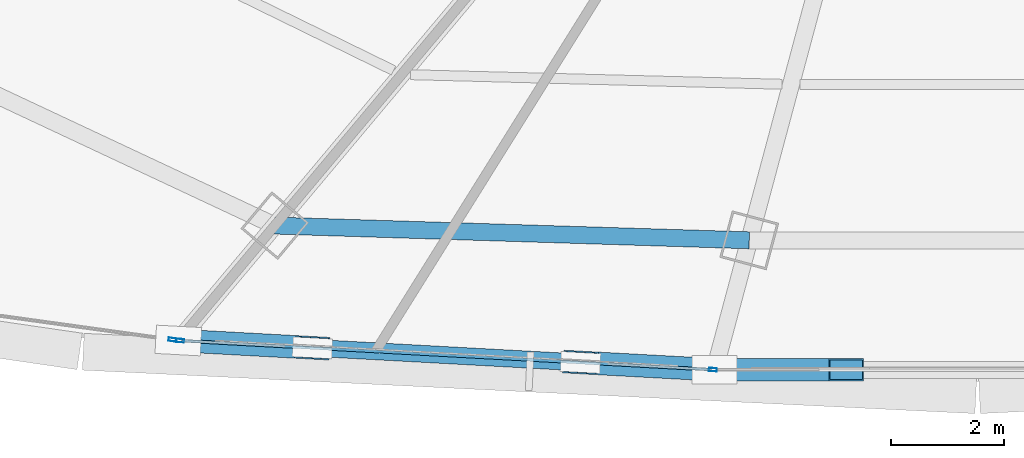
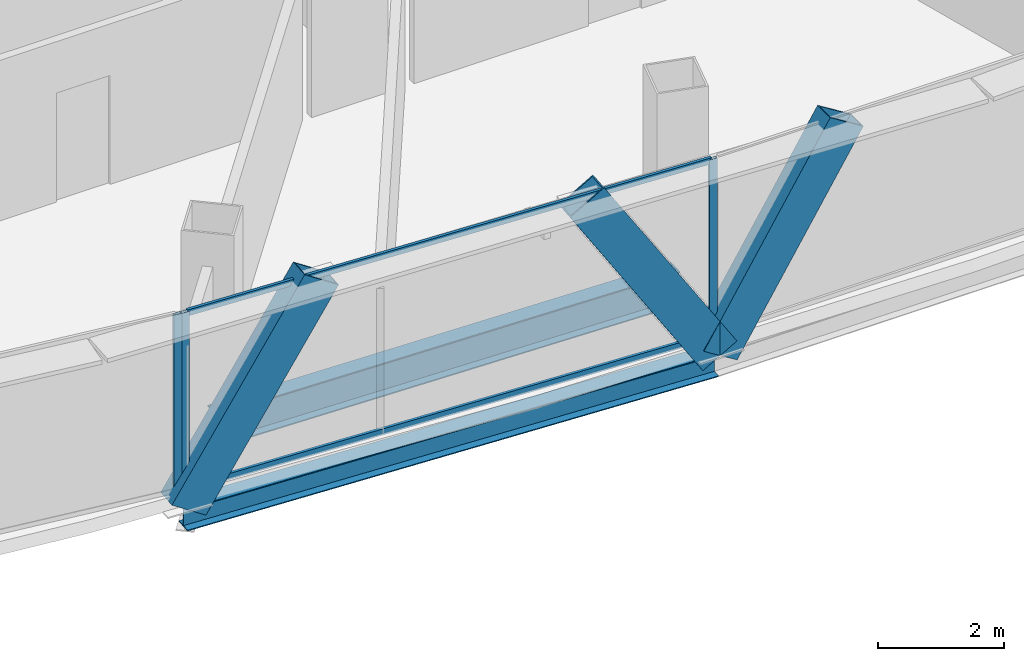
# One storey, part 6 of 37: 8 members, 2 beams, 2 elements without a shape of their own.
"""IFC4 building model written with IfcOpenShell, lengths in metres."""

from ifc_helpers import new_model, si_unit, direction, frame, origin, origin_2d, place, context, subcontext, project, spatial, hollow_rectangle, i_section, extrude, source, transform, mapped, material, layer, layer_set, material_profile, profile_set, type_object, element, aggregate, save


model = new_model("IFC4")

# Units and contexts
model_context = context("Model", 3, precision=1e-05, world=origin(), true_north=direction((0.0, 1.0)))
body_context = subcontext(model_context, "Body", "Model", "MODEL_VIEW")
ifc_project = project(units=[si_unit("LENGTHUNIT", "METRE"), si_unit("AREAUNIT", "SQUARE_METRE"), si_unit("VOLUMEUNIT", "CUBIC_METRE"), si_unit("PLANEANGLEUNIT", "RADIAN"), si_unit("MASSUNIT", "GRAM", prefix="KILO"), si_unit("THERMODYNAMICTEMPERATUREUNIT", "KELVIN"), si_unit("POWERUNIT", "WATT")], contexts=[model_context])

# Site, building, storey
site_placement = place(None, origin())
site = spatial("IfcSite", under=ifc_project, at=site_placement, CompositionType="ELEMENT")
building_placement = place(site_placement, origin())
building = spatial("IfcBuilding", under=site, at=building_placement, Name="Yunzhuo Pagoda Commons", CompositionType="ELEMENT")
storey_placement = place(building_placement, frame((0.0, 0.0, 240.800048828125)))
storey = spatial("IfcBuildingStorey", under=building, at=storey_placement, Name="L60", CompositionType="ELEMENT", Elevation=240.800048828125)

# Beams
ifc_material_1 = material(Name="Structural steel Q355B", Category="steel")
ifc_material_profile_1 = material_profile(ifc_material_1, i_section(OverallWidth=0.300048828125, OverallDepth=0.64990234375, WebThickness=0.012939453125, FlangeThickness=0.02197265625, at=origin_2d()), Name="Structural steel Q355B")
ifc_profile_set_1 = profile_set([ifc_material_profile_1], Name="Structural steel Q355B")
beam_type_1 = type_object("IfcBeamType", Name="B-RG2 Beam HN 650x300x13x22", PredefinedType="BEAM", material=ifc_profile_set_1)
shared_shape_1 = source(origin(), body_context, "Body", "SweptSolid", [
    extrude(i_section(OverallWidth=0.300048828125, OverallDepth=0.64990234375, WebThickness=0.012939453125, FlangeThickness=0.02197265625, at=origin_2d()), origin(), (0.0, 0.0, 1.0), 8.37939453125),
])
beam_1_placement = place(storey_placement, frame((35.593017578125, 18.913818359375, -0.5849609375), z_axis=(0.999519382133, -0.031000076447, 0.0), x_axis=(0.031000076447, 0.999519382133, 0.0)))
element("IfcBeam", 1, at=beam_1_placement, inside=storey, type_object=beam_type_1, Name="L60 column-ring beam 1", PredefinedType="BEAM", context=body_context, shape_type="MappedRepresentation", body=[
    mapped(shared_shape_1, transform((0.0, 0.0, 0.0), scale=1.0)),
])
ifc_material_profile_2 = material_profile(ifc_material_1, i_section(OverallWidth=0.300048828125, OverallDepth=0.43994140625, WebThickness=0.010986328125, FlangeThickness=0.01806640625, at=origin_2d()), Name="Structural steel Q355B")
ifc_profile_set_2 = profile_set([ifc_material_profile_2], Name="Structural steel Q355B")
beam_type_2 = type_object("IfcBeamType", Name="B-SP2 Beam HM 440x300x11x18", PredefinedType="BEAM", material=ifc_profile_set_2)
shared_shape_2 = source(origin(), body_context, "Body", "SweptSolid", [
    extrude(i_section(OverallWidth=0.300048828125, OverallDepth=0.43994140625, WebThickness=0.010986328125, FlangeThickness=0.01806640625, at=origin_2d()), origin(), (0.0, 0.0, 1.0), 9.4794921875),
])
beam_2_placement = place(storey_placement, frame((33.890869140625, 16.88525390625, -0.47998046875), z_axis=(0.998513924763, -0.054497174743, 0.0), x_axis=(0.054497174743, 0.998513924763, 0.0)))
element("IfcBeam", 2, at=beam_2_placement, inside=storey, type_object=beam_type_2, Name="L60 facade edge spandrel beam F1.1", PredefinedType="BEAM", context=body_context, shape_type="MappedRepresentation", body=[
    mapped(shared_shape_2, transform((0.0, 0.0, 0.0), scale=1.0)),
])

# Members
ifc_material_profile_3 = material_profile(ifc_material_1, hollow_rectangle(XDim=0.39990234375, YDim=0.719970703125, WallThickness=0.02392578125, at=origin_2d()), Name="Structural steel Q355B")
ifc_profile_set_3 = profile_set([ifc_material_profile_3], Name="Structural steel Q355B")
member_type_1 = type_object("IfcMemberType", Name="M-DL2 Brace BOX 720x400x24", PredefinedType="BRACE", material=ifc_profile_set_3)
shared_shape_3 = source(origin(), body_context, "Body", "SweptSolid", [
    extrude(hollow_rectangle(XDim=0.39990234375, YDim=0.719970703125, WallThickness=0.02392578125, at=origin_2d()), origin(), (0.0, 0.0, 1.0), 4.419189453125),
])
member_1_placement = place(storey_placement, frame((33.890869140625, 16.88525390625, -0.260009765625), z_axis=(0.535427539536, -0.029168978629, 0.844077319084), x_axis=(0.054397258455, 0.998519373008, 0.0)))
element("IfcMember", 3, at=member_1_placement, inside=storey, type_object=member_type_1, Name="L60 facade diamond brace F1.1L", PredefinedType="BRACE", context=body_context, shape_type="MappedRepresentation", body=[
    mapped(shared_shape_3, transform((0.0, 0.0, 0.0), scale=1.0)),
])
shared_shape_4 = source(origin(), body_context, "Body", "SweptSolid", [
    extrude(hollow_rectangle(XDim=0.39990234375, YDim=0.719970703125, WallThickness=0.02392578125, at=origin_2d()), origin(), (0.0, 0.0, 1.0), 4.41943359375),
])
member_2_placement = place(storey_placement, frame((43.356201171875, 16.36865234375, -0.260009765625), z_axis=(-0.535466080863, 0.029223311336, 0.844050990355), x_axis=(-0.05449437193, -0.998514077731, 0.0)))
element("IfcMember", 4, at=member_2_placement, inside=storey, type_object=member_type_1, Name="L60 facade diamond brace F1.1R", PredefinedType="BRACE", context=body_context, shape_type="MappedRepresentation", body=[
    mapped(shared_shape_4, transform((0.0, 0.0, 0.0), scale=1.0)),
])
shared_shape_5 = source(origin(), body_context, "Body", "SweptSolid", [
    extrude(hollow_rectangle(XDim=0.39990234375, YDim=0.719970703125, WallThickness=0.02392578125, at=origin_2d()), origin(), (0.0, 0.0, 1.0), 4.393798828125),
])
member_3_placement = place(storey_placement, frame((43.356201171875, 16.36865234375, -0.260009765625), z_axis=(0.528464769808, 0.0, 0.848955232667), x_axis=(0.0, 1.0, 0.0)))
element("IfcMember", 5, at=member_3_placement, inside=storey, type_object=member_type_1, Name="L60 facade diamond brace F1.2L", PredefinedType="BRACE", context=body_context, shape_type="MappedRepresentation", body=[
    mapped(shared_shape_5, transform((0.0, 0.0, 0.0), scale=1.0)),
])

# Curtain wall, members
ifc_material_2 = material(Name="Anodized aluminium 6063-T6", Category="aluminium")
ifc_layer = layer(ifc_material_2, 0.139892578125)
ifc_layer_set = layer_set([ifc_layer], Name="Anodized aluminium 6063-T6")
curtain_wall_type = type_object("IfcCurtainWallType", Name="CW-HI High-Zone Ribbon Curtain Wall", PredefinedType="NOTDEFINED", material=ifc_layer_set)
curtain_wall_1_placement = place(storey_placement, origin())
curtain_wall_1 = element("IfcCurtainWall", 6, at=curtain_wall_1_placement, inside=storey, type_object=curtain_wall_type, Name="L60 curtain wall CW-L60-F1B2", PredefinedType="NOTDEFINED")
ifc_material_profile_4 = material_profile(ifc_material_2, hollow_rectangle(XDim=0.06005859375, YDim=0.139892578125, WallThickness=0.00341796875, at=origin_2d()), Name="Anodized aluminium 6063-T6")
ifc_profile_set_4 = profile_set([ifc_material_profile_4], Name="Anodized aluminium 6063-T6")
member_type_2 = type_object("IfcMemberType", Name="CW-HI-M Mullion RHS 140x60x3.5", PredefinedType="MULLION", material=ifc_profile_set_4)
shared_shape_6 = source(origin(), body_context, "Body", "SweptSolid", [
    extrude(hollow_rectangle(XDim=0.06005859375, YDim=0.139892578125, WallThickness=0.00341796875, at=origin_2d()), origin(), (0.0, 0.0, 1.0), 3.47021484375),
])
member_4_placement = place(storey_placement, frame((33.920654296875, 16.883544921875, 0.0), z_axis=(0.0, 0.0, 1.0), x_axis=(0.054497194278, 0.998513923697, 0.0)))
member_4 = element("IfcMember", 7, at=member_4_placement, type_object=member_type_2, Name="CW mullion 1", PredefinedType="MULLION", context=body_context, shape_type="MappedRepresentation", body=[
    mapped(shared_shape_6, transform((0.0, 0.0, 0.0), scale=1.0)),
])
member_5_placement = place(storey_placement, frame((43.326171875, 16.370361328125, 0.0), z_axis=(0.0, 0.0, 1.0), x_axis=(0.054497194278, 0.998513923697, 0.0)))
member_5 = element("IfcMember", 8, at=member_5_placement, type_object=member_type_2, Name="CW mullion 2", PredefinedType="MULLION", context=body_context, shape_type="MappedRepresentation", body=[
    mapped(shared_shape_6, transform((0.0, 0.0, 0.0), scale=1.0)),
])

# Curtain wall, member
curtain_wall_2_placement = place(storey_placement, origin())
curtain_wall_2 = element("IfcCurtainWall", 9, at=curtain_wall_2_placement, inside=storey, type_object=curtain_wall_type, Name="L60 curtain wall CW-L60-F1B1", PredefinedType="NOTDEFINED")
member_6_placement = place(storey_placement, frame((33.786865234375, 16.899658203125, 0.0), z_axis=(0.0, 0.0, 1.0), x_axis=(0.137250412651, 0.990536382082, 0.0)))
member_6 = element("IfcMember", 10, at=member_6_placement, type_object=member_type_2, Name="CW mullion 2", PredefinedType="MULLION", context=body_context, shape_type="MappedRepresentation", body=[
    mapped(shared_shape_6, transform((0.0, 0.0, 0.0), scale=1.0)),
])
aggregate(curtain_wall_2, [member_6])

# Member
ifc_material_profile_5 = material_profile(ifc_material_2, hollow_rectangle(XDim=0.054931640625, YDim=0.1201171875, WallThickness=0.00341796875, at=origin_2d()), Name="Anodized aluminium 6063-T6")
ifc_profile_set_5 = profile_set([ifc_material_profile_5], Name="Anodized aluminium 6063-T6")
member_type_3 = type_object("IfcMemberType", Name="CW-HI-T Transom RHS 120x55x3.5", PredefinedType="USERDEFINED", material=ifc_profile_set_5)
shared_shape_7 = source(origin(), body_context, "Body", "SweptSolid", [
    extrude(hollow_rectangle(XDim=0.054931640625, YDim=0.1201171875, WallThickness=0.00341796875, at=origin_2d()), origin(), (0.0, 0.0, 1.0), 9.359375),
])
member_7_placement = place(storey_placement, frame((33.95068359375, 16.882080078125, 0.02734375), z_axis=(0.998514211569, -0.054491919537, 0.0), x_axis=(0.054491919537, 0.998514211569, 0.0)))
member_7 = element("IfcMember", 11, at=member_7_placement, type_object=member_type_3, Name="CW transom 1.1", ObjectType="TRANSOM", PredefinedType="USERDEFINED", context=body_context, shape_type="MappedRepresentation", body=[
    mapped(shared_shape_7, transform((0.0, 0.0, 0.0), scale=1.0)),
])

member_8_placement = place(storey_placement, frame((33.95068359375, 16.882080078125, 3.4423828125), z_axis=(0.998514211569, -0.054491919537, 0.0), x_axis=(0.054491919537, 0.998514211569, 0.0)))
member_8 = element("IfcMember", 12, at=member_8_placement, type_object=member_type_3, Name="CW transom 1.2", ObjectType="TRANSOM", PredefinedType="USERDEFINED", context=body_context, shape_type="MappedRepresentation", body=[
    mapped(shared_shape_7, transform((0.0, 0.0, 0.0), scale=1.0)),
])

aggregate(curtain_wall_1, [member_4, member_5, member_7, member_8])

save(model, "model.ifc")
